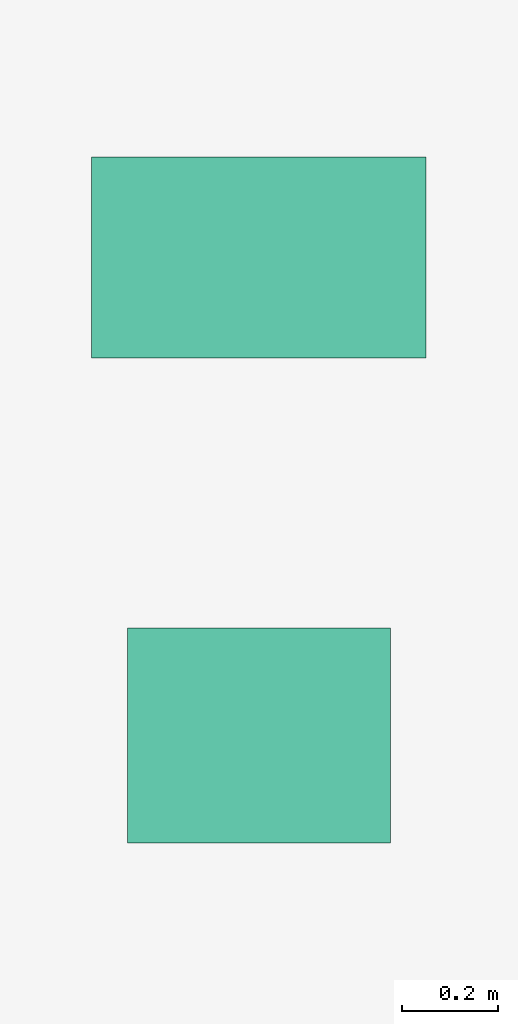
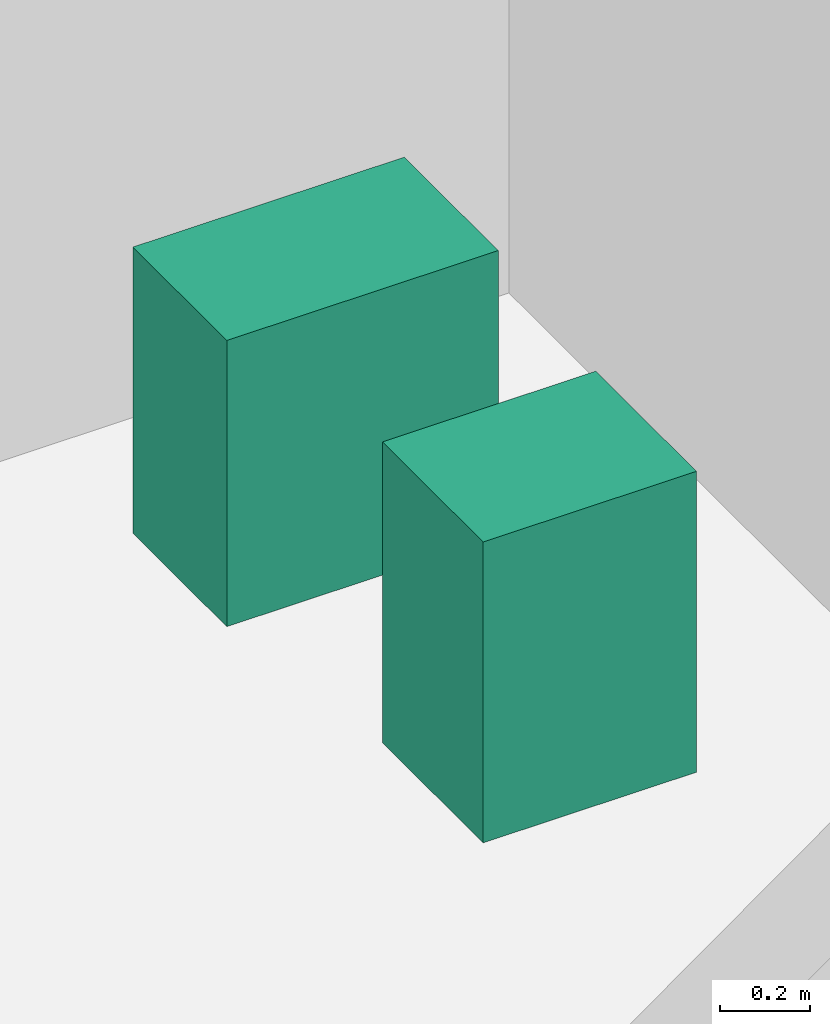
# One storey, part 34 of 34: 2 sanitary terminals.
"""IFC4 building model written with IfcOpenShell, lengths in metres."""

from ifc_helpers import new_model, si_unit, direction, frame, origin, origin_2d, place, context, subcontext, project, spatial, rectangle, extrude, source, transform, mapped, material, type_object, element, save


model = new_model("IFC4")

# Units and contexts
model_context = context("Model", 3, precision=1e-05, world=origin(), true_north=direction((0.0, 1.0)))
body_context = subcontext(model_context, "Body", "Model", "MODEL_VIEW")
ifc_project = project(units=[si_unit("LENGTHUNIT", "METRE"), si_unit("AREAUNIT", "SQUARE_METRE"), si_unit("VOLUMEUNIT", "CUBIC_METRE"), si_unit("PLANEANGLEUNIT", "RADIAN"), si_unit("MASSUNIT", "GRAM", prefix="KILO")], contexts=[model_context])

# Site, building, storey
site_placement = place(None, origin())
site = spatial("IfcSite", under=ifc_project, at=site_placement, CompositionType="ELEMENT")
building_placement = place(site_placement, origin())
building = spatial("IfcBuilding", under=site, at=building_placement, Name="Sumidabori Civic Tower", CompositionType="ELEMENT")
storey_placement = place(building_placement, frame((0.0, 0.0, 99.199951171875)))
storey = spatial("IfcBuildingStorey", under=building, at=storey_placement, Name="L25", CompositionType="ELEMENT", Elevation=99.199951171875)

# Sanitary terminals
ifc_material = material(Name="Vitreous Sanitary Porcelain")
sanitary_terminal_type_1 = type_object("IfcSanitaryTerminalType", Name="SN-WC-1", PredefinedType="TOILETPAN", material=ifc_material)
shared_shape_1 = source(origin(), body_context, "Body", "SweptSolid", [
    extrude(rectangle(XDim=0.699951171875, YDim=0.419921875, at=origin_2d()), origin(), (0.0, 0.0, 1.0), 0.780029296875),
])
sanitary_terminal_1_placement = place(storey_placement, frame((10.800048828125, 21.85009765625, 0.0), z_axis=(0.0, 0.0, 1.0), x_axis=(1.0, 0.0, 0.0)))
element("IfcSanitaryTerminal", 1, at=sanitary_terminal_1_placement, inside=storey, type_object=sanitary_terminal_type_1, Name="Accessible WC Pan L25", PredefinedType="TOILETPAN", context=body_context, shape_type="MappedRepresentation", body=[
    mapped(shared_shape_1, transform((0.0, 0.0, 0.0), x_axis=(1.0, 0.0, 0.0), y_axis=(0.0, 1.0, 0.0), z_axis=(0.0, 0.0, 1.0), scale=1.0)),
])
sanitary_terminal_type_2 = type_object("IfcSanitaryTerminalType", Name="SN-BAS-1", PredefinedType="WASHHANDBASIN", material=ifc_material)
shared_shape_2 = source(origin(), body_context, "Body", "SweptSolid", [
    extrude(rectangle(XDim=0.550048828125, YDim=0.449951171875, at=origin_2d()), origin(), (0.0, 0.0, 1.0), 0.820068359375),
])
sanitary_terminal_2_placement = place(storey_placement, frame((10.800048828125, 20.85009765625, 0.0), z_axis=(0.0, 0.0, 1.0), x_axis=(1.0, 0.0, 0.0)))
element("IfcSanitaryTerminal", 2, at=sanitary_terminal_2_placement, inside=storey, type_object=sanitary_terminal_type_2, Name="Accessible Basin L25", PredefinedType="WASHHANDBASIN", context=body_context, shape_type="MappedRepresentation", body=[
    mapped(shared_shape_2, transform((0.0, 0.0, 0.0), x_axis=(1.0, 0.0, 0.0), y_axis=(0.0, 1.0, 0.0), z_axis=(0.0, 0.0, 1.0), scale=1.0)),
])

save(model, "model.ifc")
